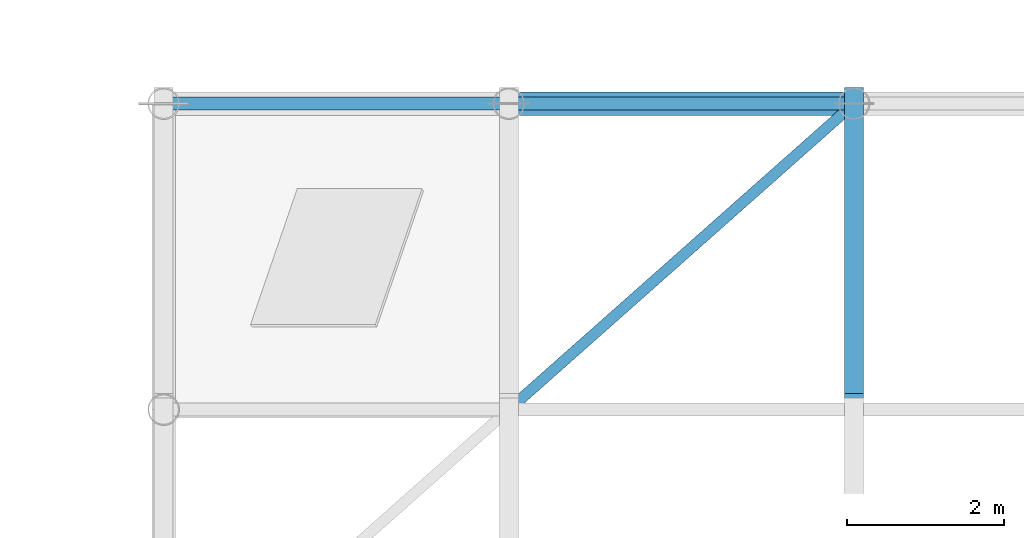
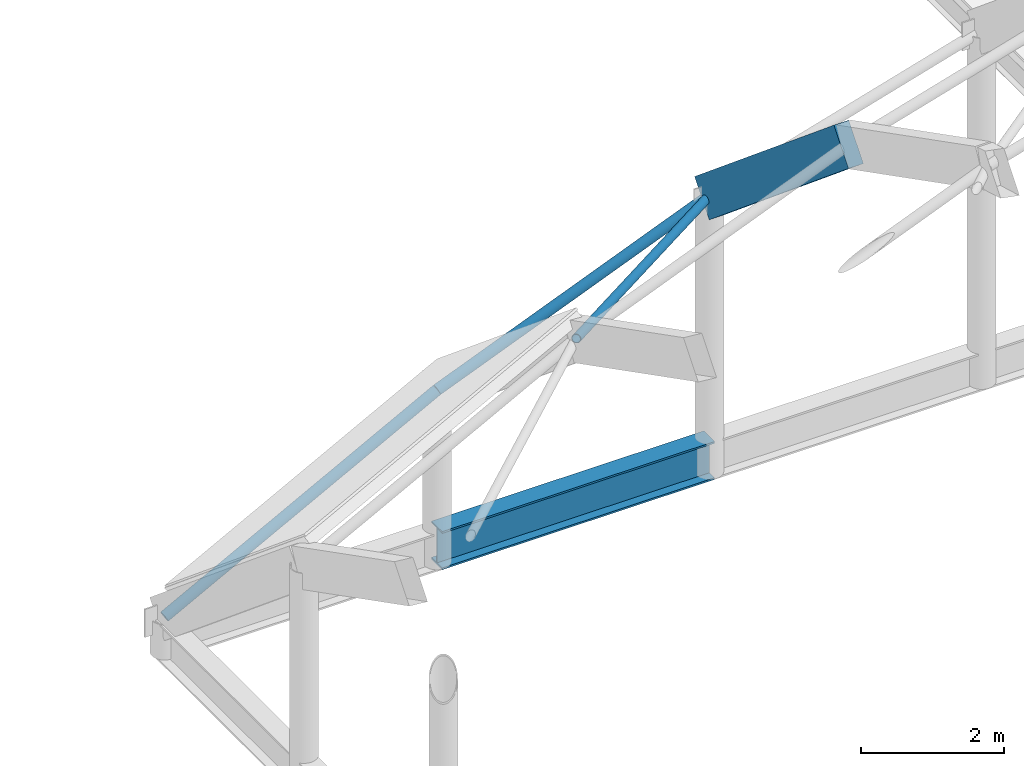
# One storey, part 47 of 119: 4 members, 1 beam.
"""IFC4 building model written with IfcOpenShell, lengths in metres."""

from ifc_helpers import new_model, si_unit, direction, frame, origin, origin_2d, place, context, subcontext, project, spatial, rectangle, hollow_circle, i_section, extrude, material, material_profile, profile_set, type_object, element, save


model = new_model("IFC4")

# Units and contexts
model_context = context("Model", 3, precision=1e-05, world=origin(), true_north=direction((0.0, 1.0)))
body_context = subcontext(model_context, "Body", "Model", "MODEL_VIEW")
ifc_project = project(units=[si_unit("LENGTHUNIT", "METRE"), si_unit("AREAUNIT", "SQUARE_METRE"), si_unit("VOLUMEUNIT", "CUBIC_METRE"), si_unit("PLANEANGLEUNIT", "RADIAN"), si_unit("MASSUNIT", "GRAM", prefix="KILO")], contexts=[model_context])

# Site, building, storey
site_placement = place(None, origin())
site = spatial("IfcSite", under=ifc_project, at=site_placement, CompositionType="ELEMENT")
building_placement = place(site_placement, origin())
building = spatial("IfcBuilding", under=site, at=building_placement, Name="Celorna Specialist Clinic", CompositionType="ELEMENT")
storey_placement = place(building_placement, frame((0.0, 0.0, 9.60009765625)))
storey = spatial("IfcBuildingStorey", under=building, at=storey_placement, Name="L02", CompositionType="ELEMENT", Elevation=9.60009765625)

# Beam
ifc_material_1 = material(Name="Steel S355", Category="steel")
ifc_material_profile_1 = material_profile(ifc_material_1, i_section(OverallWidth=0.300048828125, OverallDepth=0.64990234375, WebThickness=0.01611328125, FlangeThickness=0.031005859375, at=origin_2d()), Name="HE 650 B")
ifc_profile_set_1 = profile_set([ifc_material_profile_1], Name="Steel S355")
beam_type = type_object("IfcBeamType", Name="BM-03", PredefinedType="BEAM", material=ifc_profile_set_1)
beam_placement = place(storey_placement, frame((59.0, 78.0, 0.27490234375), z_axis=(1.0, 0.0, 0.0), x_axis=(0.0, 1.0, 0.0)))
element("IfcBeam", 1, at=beam_placement, inside=storey, type_object=beam_type, Name="GSH-V1 gridshell perimeter edge ring beam", PredefinedType="BEAM", context=body_context, shape_type="SweptSolid", body=[
    extrude(i_section(OverallWidth=0.300048828125, OverallDepth=0.64990234375, WebThickness=0.01611328125, FlangeThickness=0.031005859375, at=origin_2d()), origin(), (0.0, 0.0, 1.0), 4.39990234375),
])

# Members
ifc_material_2 = material(Name="Glulam GL28h", Category="wood")
ifc_material_profile_2 = material_profile(ifc_material_2, rectangle(XDim=0.239990234375, YDim=0.639892578125, at=origin_2d()), Name="GL28h 240x640")
ifc_profile_set_2 = profile_set([ifc_material_profile_2], Name="Glulam GL28h")
member_type_1 = type_object("IfcMemberType", Name="MB-01", PredefinedType="RAFTER", material=ifc_profile_set_2)
member_1_placement = place(storey_placement, frame((63.39990234375, 74.10009765625, 7.947998046875), z_axis=(0.0, 0.768923128228, -0.639341241338), x_axis=(-1.0, 0.0, 0.0)))
element("IfcMember", 2, at=member_1_placement, inside=storey, type_object=member_type_1, Name="GSH-V1 glulam gridshell arch rib WP-169-WP-139", PredefinedType="RAFTER", context=body_context, shape_type="SweptSolid", body=[
    extrude(rectangle(XDim=0.239990234375, YDim=0.639892578125, at=origin_2d()), origin(), (0.0, 0.0, 1.0), 5.072021484375),
])
ifc_material_profile_3 = material_profile(ifc_material_1, hollow_circle(Radius=0.084228515625, WallThickness=0.010009765625, at=origin_2d()), Name="CHS 168.3x10")
ifc_profile_set_3 = profile_set([ifc_material_profile_3], Name="Steel S355")
member_type_2 = type_object("IfcMemberType", Name="MB-03", PredefinedType="PURLIN", material=ifc_profile_set_3)
member_2_placement = place(storey_placement, frame((54.60009765625, 78.0, 0.599853515625), z_axis=(0.883768830423, 0.0, 0.467923769831), x_axis=(0.0, 1.0, 0.0)))
element("IfcMember", 3, at=member_2_placement, inside=storey, type_object=member_type_2, Name="GSH-V1 gridshell edge arch chord WP-137-WP-138", PredefinedType="PURLIN", context=body_context, shape_type="SweptSolid", body=[
    extrude(hollow_circle(Radius=0.084228515625, WallThickness=0.010009765625, at=origin_2d()), origin(), (0.0, 0.0, 1.0), 4.978515625),
])
member_3_placement = place(storey_placement, frame((59.0, 78.0, 2.929443359375), z_axis=(0.927315344547, 0.0, 0.374280979704), x_axis=(0.0, 1.0, 0.0)))
element("IfcMember", 4, at=member_3_placement, inside=storey, type_object=member_type_2, Name="GSH-V1 gridshell edge arch chord WP-138-WP-139", PredefinedType="PURLIN", context=body_context, shape_type="SweptSolid", body=[
    extrude(hollow_circle(Radius=0.084228515625, WallThickness=0.010009765625, at=origin_2d()), origin(), (0.0, 0.0, 1.0), 4.744873046875),
])
ifc_material_profile_4 = material_profile(ifc_material_1, hollow_circle(Radius=0.06982421875, WallThickness=0.008056640625, at=origin_2d()), Name="CHS 139.7x8")
ifc_profile_set_4 = profile_set([ifc_material_profile_4], Name="Steel S355")
member_type_3 = type_object("IfcMemberType", Name="MB-08", PredefinedType="BRACE", material=ifc_profile_set_4)
member_4_placement = place(storey_placement, frame((59.0, 74.10009765625, 6.172119140625), z_axis=(0.726093348045, 0.643580908982, -0.242057975533), x_axis=(-0.663306457294, 0.748347876133, 0.0)))
element("IfcMember", 5, at=member_4_placement, inside=storey, type_object=member_type_3, Name="GSH-V1 gridshell shell brace WP-162-WP-139", PredefinedType="BRACE", context=body_context, shape_type="SweptSolid", body=[
    extrude(hollow_circle(Radius=0.06982421875, WallThickness=0.008056640625, at=origin_2d()), origin(), (0.0, 0.0, 1.0), 6.059814453125),
])

save(model, "model.ifc")
